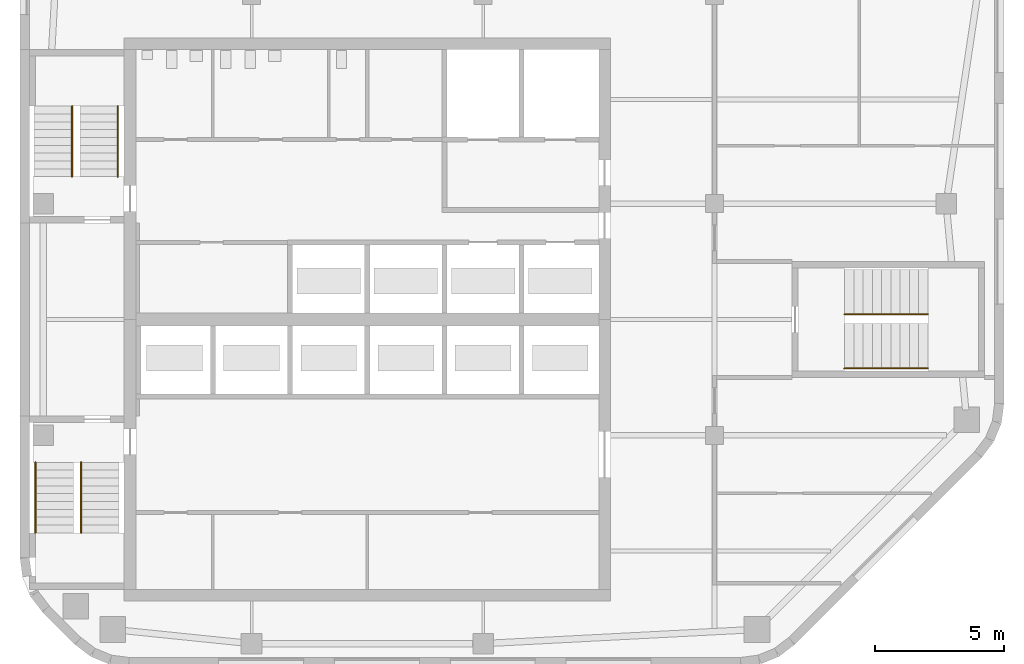
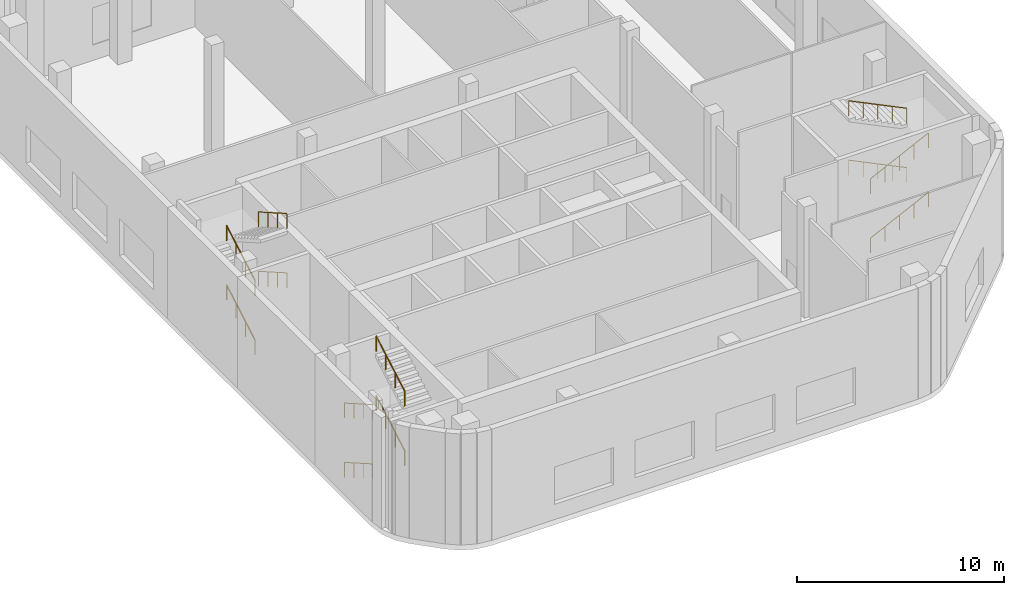
# One storey, part 6 of 8: 12 railings, 3 elements without a shape of their own.
"""IFC4 building model written with IfcOpenShell, lengths in metres."""

from ifc_helpers import new_model, si_unit, direction, frame, origin, origin_2d, place, context, subcontext, project, spatial, circle, extrude, material, type_object, element, aggregate, save


model = new_model("IFC4")

# Units and contexts
model_context = context("Model", 3, precision=1e-05, world=origin(), true_north=direction((0.0, 1.0)))
body_context = subcontext(model_context, "Body", "Model", "MODEL_VIEW")
ifc_project = project(units=[si_unit("LENGTHUNIT", "METRE"), si_unit("AREAUNIT", "SQUARE_METRE"), si_unit("VOLUMEUNIT", "CUBIC_METRE"), si_unit("PLANEANGLEUNIT", "RADIAN"), si_unit("MASSUNIT", "GRAM", prefix="KILO")], contexts=[model_context])

# Site, building, storey
site_placement = place(None, origin())
site = spatial("IfcSite", under=ifc_project, at=site_placement, CompositionType="ELEMENT")
building_placement = place(site_placement, origin())
building = spatial("IfcBuilding", under=site, at=building_placement, Name="Cinnabar Reach Civic Tower", CompositionType="ELEMENT")
storey_placement = place(building_placement, frame((0.0, 0.0, 291.0)))
storey = spatial("IfcBuildingStorey", under=building, at=storey_placement, Name="L69", CompositionType="ELEMENT", Elevation=291.0)

# Stair, railings
ifc_material_1 = material(Name="Concrete C40/50", Category="concrete")
stair_type = type_object("IfcStairType", Name="T1 Exit stair, double return", PredefinedType="DOUBLE_RETURN_STAIR", material=ifc_material_1)
stair_1_placement = place(storey_placement, origin())
stair_1 = element("IfcStair", 1, at=stair_1_placement, inside=storey, type_object=stair_type, Name="Stair T1-S1", PredefinedType="DOUBLE_RETURN_STAIR")
ifc_material_2 = material(Name="Stainless steel tube", Category="steel")
railing_type = type_object("IfcRailingType", Name="T1 Stair handrail, stainless tube 48", PredefinedType="HANDRAIL", material=ifc_material_2)
railing_1_placement = place(storey_placement, frame((0.6, 25.95, 0.175)))
railing_1 = element("IfcRailing", 2, at=railing_1_placement, type_object=railing_type, Name="T1-S1 handrail 1", PredefinedType="HANDRAIL", context=body_context, shape_type="SweptSolid", body=[
    extrude(circle(Radius=0.024, at=origin_2d()), frame((0.0, 0.0, 0.876), z_axis=(0.0, -0.867366768559, 0.49766945737), x_axis=(1.0, 0.0, 0.0)), (0.0, 0.0, 1.0), 3.1648),
    extrude(circle(Radius=0.021, at=origin_2d()), origin(), (0.0, 0.0, 1.0), 0.852),
    extrude(circle(Radius=0.021, at=origin_2d()), frame((0.0, -0.915, 0.525)), (0.0, 0.0, 1.0), 0.852),
    extrude(circle(Radius=0.021, at=origin_2d()), frame((0.0, -1.83, 1.05)), (0.0, 0.0, 1.0), 0.852),
    extrude(circle(Radius=0.021, at=origin_2d()), frame((0.0, -2.745, 1.575)), (0.0, 0.0, 1.0), 0.852),
])
railing_2_placement = place(storey_placement, frame((2.375, 23.205, 1.925)))
railing_2 = element("IfcRailing", 3, at=railing_2_placement, type_object=railing_type, Name="T1-S1 handrail 2", PredefinedType="HANDRAIL", context=body_context, shape_type="SweptSolid", body=[
    extrude(circle(Radius=0.024, at=origin_2d()), frame((0.0, 0.0, 0.876), z_axis=(0.0, 0.867366768559, 0.49766945737), x_axis=(-1.0, 0.0, 0.0)), (0.0, 0.0, 1.0), 3.1648),
    extrude(circle(Radius=0.021, at=origin_2d()), origin(), (0.0, 0.0, 1.0), 0.852),
    extrude(circle(Radius=0.021, at=origin_2d()), frame((0.0, 0.915, 0.525)), (0.0, 0.0, 1.0), 0.852),
    extrude(circle(Radius=0.021, at=origin_2d()), frame((0.0, 1.83, 1.05)), (0.0, 0.0, 1.0), 0.852),
    extrude(circle(Radius=0.021, at=origin_2d()), frame((0.0, 2.745, 1.575)), (0.0, 0.0, 1.0), 0.852),
])
railing_3_placement = place(storey_placement, frame((0.6, 25.95, 3.675)))
railing_3 = element("IfcRailing", 4, at=railing_3_placement, type_object=railing_type, Name="T1-S1 handrail 3", PredefinedType="HANDRAIL", context=body_context, shape_type="SweptSolid", body=[
    extrude(circle(Radius=0.024, at=origin_2d()), frame((0.0, 0.0, 0.876), z_axis=(0.0, -0.867366768559, 0.49766945737), x_axis=(1.0, 0.0, 0.0)), (0.0, 0.0, 1.0), 3.1648),
    extrude(circle(Radius=0.021, at=origin_2d()), origin(), (0.0, 0.0, 1.0), 0.852),
    extrude(circle(Radius=0.021, at=origin_2d()), frame((0.0, -0.915, 0.525)), (0.0, 0.0, 1.0), 0.852),
    extrude(circle(Radius=0.021, at=origin_2d()), frame((0.0, -1.83, 1.05)), (0.0, 0.0, 1.0), 0.852),
    extrude(circle(Radius=0.021, at=origin_2d()), frame((0.0, -2.745, 1.575)), (0.0, 0.0, 1.0), 0.852),
])
railing_4_placement = place(storey_placement, frame((2.375, 23.205, 5.425)))
railing_4 = element("IfcRailing", 5, at=railing_4_placement, type_object=railing_type, Name="T1-S1 handrail 4", PredefinedType="HANDRAIL", context=body_context, shape_type="SweptSolid", body=[
    extrude(circle(Radius=0.024, at=origin_2d()), frame((0.0, 0.0, 0.876), z_axis=(0.0, 0.867366768559, 0.49766945737), x_axis=(-1.0, 0.0, 0.0)), (0.0, 0.0, 1.0), 3.1648),
    extrude(circle(Radius=0.021, at=origin_2d()), origin(), (0.0, 0.0, 1.0), 0.852),
    extrude(circle(Radius=0.021, at=origin_2d()), frame((0.0, 0.915, 0.525)), (0.0, 0.0, 1.0), 0.852),
    extrude(circle(Radius=0.021, at=origin_2d()), frame((0.0, 1.83, 1.05)), (0.0, 0.0, 1.0), 0.852),
    extrude(circle(Radius=0.021, at=origin_2d()), frame((0.0, 2.745, 1.575)), (0.0, 0.0, 1.0), 0.852),
])
aggregate(stair_1, [railing_1, railing_2, railing_3, railing_4])

stair_2_placement = place(storey_placement, origin())
stair_2 = element("IfcStair", 6, at=stair_2_placement, inside=storey, type_object=stair_type, Name="Stair T1-S2", PredefinedType="DOUBLE_RETURN_STAIR")
railing_5_placement = place(storey_placement, frame((2.025, 37.05, 0.175)))
railing_5 = element("IfcRailing", 7, at=railing_5_placement, type_object=railing_type, Name="T1-S2 handrail 1", PredefinedType="HANDRAIL", context=body_context, shape_type="SweptSolid", body=[
    extrude(circle(Radius=0.024, at=origin_2d()), frame((0.0, 0.0, 0.876), z_axis=(0.0, 0.867366768559, 0.49766945737), x_axis=(-1.0, 0.0, 0.0)), (0.0, 0.0, 1.0), 3.1648),
    extrude(circle(Radius=0.021, at=origin_2d()), origin(), (0.0, 0.0, 1.0), 0.852),
    extrude(circle(Radius=0.021, at=origin_2d()), frame((0.0, 0.915, 0.525)), (0.0, 0.0, 1.0), 0.852),
    extrude(circle(Radius=0.021, at=origin_2d()), frame((0.0, 1.83, 1.05)), (0.0, 0.0, 1.0), 0.852),
    extrude(circle(Radius=0.021, at=origin_2d()), frame((0.0, 2.745, 1.575)), (0.0, 0.0, 1.0), 0.852),
])
railing_6_placement = place(storey_placement, frame((3.8, 39.795, 1.925)))
railing_6 = element("IfcRailing", 8, at=railing_6_placement, type_object=railing_type, Name="T1-S2 handrail 2", PredefinedType="HANDRAIL", context=body_context, shape_type="SweptSolid", body=[
    extrude(circle(Radius=0.024, at=origin_2d()), frame((0.0, 0.0, 0.876), z_axis=(0.0, -0.867366768559, 0.49766945737), x_axis=(1.0, 0.0, 0.0)), (0.0, 0.0, 1.0), 3.1648),
    extrude(circle(Radius=0.021, at=origin_2d()), origin(), (0.0, 0.0, 1.0), 0.852),
    extrude(circle(Radius=0.021, at=origin_2d()), frame((0.0, -0.915, 0.525)), (0.0, 0.0, 1.0), 0.852),
    extrude(circle(Radius=0.021, at=origin_2d()), frame((0.0, -1.83, 1.05)), (0.0, 0.0, 1.0), 0.852),
    extrude(circle(Radius=0.021, at=origin_2d()), frame((0.0, -2.745, 1.575)), (0.0, 0.0, 1.0), 0.852),
])
railing_7_placement = place(storey_placement, frame((2.025, 37.05, 3.675)))
railing_7 = element("IfcRailing", 9, at=railing_7_placement, type_object=railing_type, Name="T1-S2 handrail 3", PredefinedType="HANDRAIL", context=body_context, shape_type="SweptSolid", body=[
    extrude(circle(Radius=0.024, at=origin_2d()), frame((0.0, 0.0, 0.876), z_axis=(0.0, 0.867366768559, 0.49766945737), x_axis=(-1.0, 0.0, 0.0)), (0.0, 0.0, 1.0), 3.1648),
    extrude(circle(Radius=0.021, at=origin_2d()), origin(), (0.0, 0.0, 1.0), 0.852),
    extrude(circle(Radius=0.021, at=origin_2d()), frame((0.0, 0.915, 0.525)), (0.0, 0.0, 1.0), 0.852),
    extrude(circle(Radius=0.021, at=origin_2d()), frame((0.0, 1.83, 1.05)), (0.0, 0.0, 1.0), 0.852),
    extrude(circle(Radius=0.021, at=origin_2d()), frame((0.0, 2.745, 1.575)), (0.0, 0.0, 1.0), 0.852),
])
railing_8_placement = place(storey_placement, frame((3.8, 39.795, 5.425)))
railing_8 = element("IfcRailing", 10, at=railing_8_placement, type_object=railing_type, Name="T1-S2 handrail 4", PredefinedType="HANDRAIL", context=body_context, shape_type="SweptSolid", body=[
    extrude(circle(Radius=0.024, at=origin_2d()), frame((0.0, 0.0, 0.876), z_axis=(0.0, -0.867366768559, 0.49766945737), x_axis=(1.0, 0.0, 0.0)), (0.0, 0.0, 1.0), 3.1648),
    extrude(circle(Radius=0.021, at=origin_2d()), origin(), (0.0, 0.0, 1.0), 0.852),
    extrude(circle(Radius=0.021, at=origin_2d()), frame((0.0, -0.915, 0.525)), (0.0, 0.0, 1.0), 0.852),
    extrude(circle(Radius=0.021, at=origin_2d()), frame((0.0, -1.83, 1.05)), (0.0, 0.0, 1.0), 0.852),
    extrude(circle(Radius=0.021, at=origin_2d()), frame((0.0, -2.745, 1.575)), (0.0, 0.0, 1.0), 0.852),
])
aggregate(stair_2, [railing_5, railing_6, railing_7, railing_8])

stair_3_placement = place(storey_placement, origin())
stair_3 = element("IfcStair", 11, at=stair_3_placement, inside=storey, type_object=stair_type, Name="Stair T1-S3", PredefinedType="DOUBLE_RETURN_STAIR")
railing_9_placement = place(storey_placement, frame((32.05, 29.6, 0.175)))
railing_9 = element("IfcRailing", 12, at=railing_9_placement, type_object=railing_type, Name="T1-S3 handrail 1", PredefinedType="HANDRAIL", context=body_context, shape_type="SweptSolid", body=[
    extrude(circle(Radius=0.024, at=origin_2d()), frame((0.0, 0.0, 0.876), z_axis=(0.899367854138, 0.0, 0.437192706873), x_axis=(0.0, 1.0, 0.0)), (0.0, 0.0, 1.0), 3.6025),
    extrude(circle(Radius=0.021, at=origin_2d()), origin(), (0.0, 0.0, 1.0), 0.852),
    extrude(circle(Radius=0.021, at=origin_2d()), frame((0.81, 0.0, 0.3937)), (0.0, 0.0, 1.0), 0.852),
    extrude(circle(Radius=0.021, at=origin_2d()), frame((1.62, 0.0, 0.7875)), (0.0, 0.0, 1.0), 0.852),
    extrude(circle(Radius=0.021, at=origin_2d()), frame((2.43, 0.0, 1.1812)), (0.0, 0.0, 1.0), 0.852),
    extrude(circle(Radius=0.021, at=origin_2d()), frame((3.24, 0.0, 1.575)), (0.0, 0.0, 1.0), 0.852),
])
railing_10_placement = place(storey_placement, frame((35.29, 31.7, 1.925)))
railing_10 = element("IfcRailing", 13, at=railing_10_placement, type_object=railing_type, Name="T1-S3 handrail 2", PredefinedType="HANDRAIL", context=body_context, shape_type="SweptSolid", body=[
    extrude(circle(Radius=0.024, at=origin_2d()), frame((0.0, 0.0, 0.876), z_axis=(-0.899367854138, 0.0, 0.437192706873), x_axis=(0.0, -1.0, 0.0)), (0.0, 0.0, 1.0), 3.6025),
    extrude(circle(Radius=0.021, at=origin_2d()), origin(), (0.0, 0.0, 1.0), 0.852),
    extrude(circle(Radius=0.021, at=origin_2d()), frame((-0.81, 0.0, 0.3937)), (0.0, 0.0, 1.0), 0.852),
    extrude(circle(Radius=0.021, at=origin_2d()), frame((-1.62, 0.0, 0.7875)), (0.0, 0.0, 1.0), 0.852),
    extrude(circle(Radius=0.021, at=origin_2d()), frame((-2.43, 0.0, 1.1812)), (0.0, 0.0, 1.0), 0.852),
    extrude(circle(Radius=0.021, at=origin_2d()), frame((-3.24, 0.0, 1.575)), (0.0, 0.0, 1.0), 0.852),
])
railing_11_placement = place(storey_placement, frame((32.05, 29.6, 3.675)))
railing_11 = element("IfcRailing", 14, at=railing_11_placement, type_object=railing_type, Name="T1-S3 handrail 3", PredefinedType="HANDRAIL", context=body_context, shape_type="SweptSolid", body=[
    extrude(circle(Radius=0.024, at=origin_2d()), frame((0.0, 0.0, 0.876), z_axis=(0.899367854138, 0.0, 0.437192706873), x_axis=(0.0, 1.0, 0.0)), (0.0, 0.0, 1.0), 3.6025),
    extrude(circle(Radius=0.021, at=origin_2d()), origin(), (0.0, 0.0, 1.0), 0.852),
    extrude(circle(Radius=0.021, at=origin_2d()), frame((0.81, 0.0, 0.3937)), (0.0, 0.0, 1.0), 0.852),
    extrude(circle(Radius=0.021, at=origin_2d()), frame((1.62, 0.0, 0.7875)), (0.0, 0.0, 1.0), 0.852),
    extrude(circle(Radius=0.021, at=origin_2d()), frame((2.43, 0.0, 1.1812)), (0.0, 0.0, 1.0), 0.852),
    extrude(circle(Radius=0.021, at=origin_2d()), frame((3.24, 0.0, 1.575)), (0.0, 0.0, 1.0), 0.852),
])
railing_12_placement = place(storey_placement, frame((35.29, 31.7, 5.425)))
railing_12 = element("IfcRailing", 15, at=railing_12_placement, type_object=railing_type, Name="T1-S3 handrail 4", PredefinedType="HANDRAIL", context=body_context, shape_type="SweptSolid", body=[
    extrude(circle(Radius=0.024, at=origin_2d()), frame((0.0, 0.0, 0.876), z_axis=(-0.899367854138, 0.0, 0.437192706873), x_axis=(0.0, -1.0, 0.0)), (0.0, 0.0, 1.0), 3.6025),
    extrude(circle(Radius=0.021, at=origin_2d()), origin(), (0.0, 0.0, 1.0), 0.852),
    extrude(circle(Radius=0.021, at=origin_2d()), frame((-0.81, 0.0, 0.3937)), (0.0, 0.0, 1.0), 0.852),
    extrude(circle(Radius=0.021, at=origin_2d()), frame((-1.62, 0.0, 0.7875)), (0.0, 0.0, 1.0), 0.852),
    extrude(circle(Radius=0.021, at=origin_2d()), frame((-2.43, 0.0, 1.1812)), (0.0, 0.0, 1.0), 0.852),
    extrude(circle(Radius=0.021, at=origin_2d()), frame((-3.24, 0.0, 1.575)), (0.0, 0.0, 1.0), 0.852),
])
aggregate(stair_3, [railing_9, railing_10, railing_11, railing_12])

save(model, "model.ifc")
